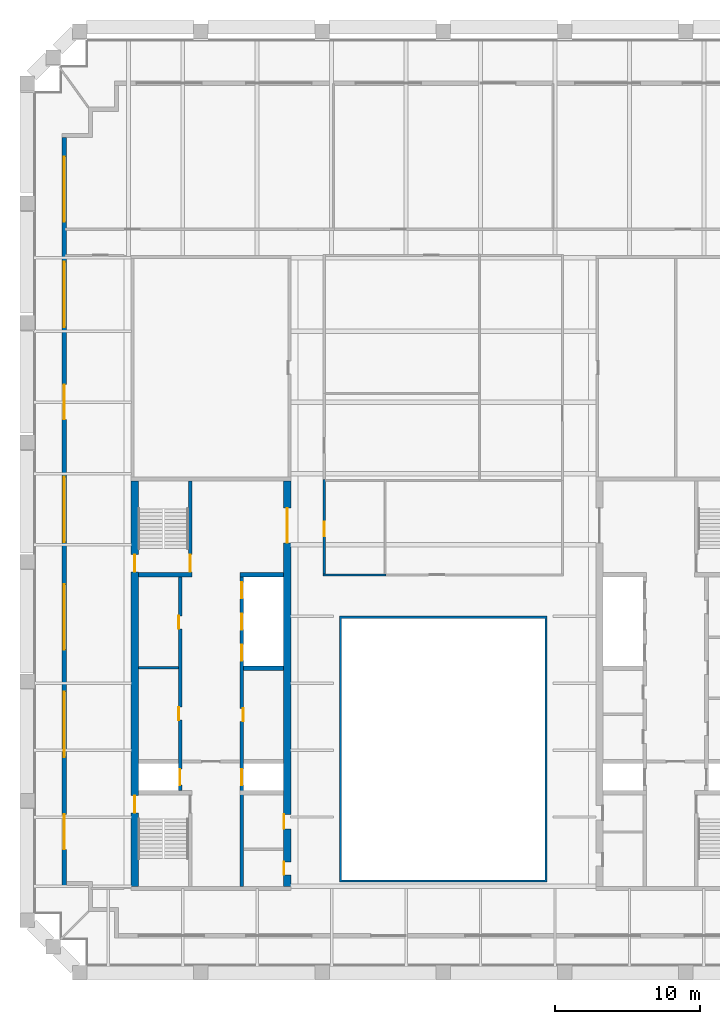
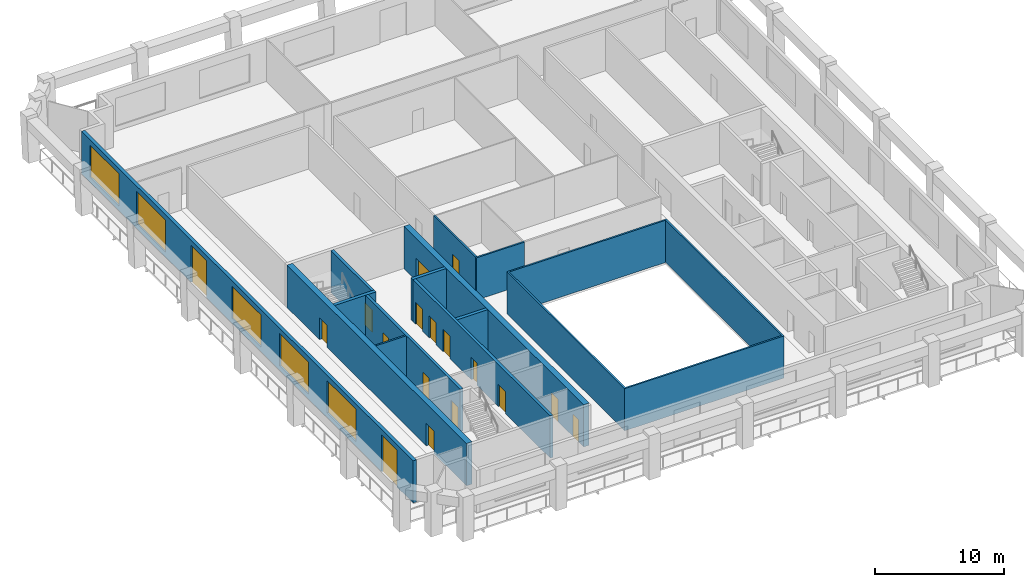
# One storey, part 3 of 7: 17 doors, 13 walls, 5 windows, 22 openings.
"""IFC4 building model written with IfcOpenShell, lengths in metres."""

from ifc_helpers import new_model, si_unit, direction, frame, frame_2d, origin, place, context, subcontext, project, spatial, polyline, rectangle, outline, extrude, material, layer, layer_set, type_object, element, fill, save


model = new_model("IFC4")

# Units and contexts
model_context = context("Model", 3, precision=1e-05, world=origin(), true_north=direction((0.0, 1.0)))
body_context = subcontext(model_context, "Body", "Model", "MODEL_VIEW")
ifc_project = project(units=[si_unit("LENGTHUNIT", "METRE"), si_unit("AREAUNIT", "SQUARE_METRE"), si_unit("VOLUMEUNIT", "CUBIC_METRE"), si_unit("PLANEANGLEUNIT", "RADIAN"), si_unit("MASSUNIT", "GRAM", prefix="KILO")], contexts=[model_context])

# Site, building, storey
site_placement = place(None, origin())
site = spatial("IfcSite", under=ifc_project, at=site_placement, CompositionType="ELEMENT")
building_placement = place(site_placement, origin())
building = spatial("IfcBuilding", under=site, at=building_placement, Name="Ogive Exchange Tower", CompositionType="ELEMENT")
storey_placement = place(building_placement, frame((0.0, 0.0, 313.199951171875)))
storey = spatial("IfcBuildingStorey", under=building, at=storey_placement, Name="L68", CompositionType="ELEMENT", Elevation=313.199951171875)

# Walls
ifc_material_1 = material(Name="Gypsum board partition")
ifc_layer_1 = layer(ifc_material_1, 0.14990234375)
ifc_layer_set_1 = layer_set([ifc_layer_1], Name="Core room partition 150 gypsum")
wall_type_1 = type_object("IfcWallType", Name="Core room partition 150 gypsum", PredefinedType="PARTITIONING", material=ifc_layer_set_1)
wall_1_placement = place(storey_placement, frame((-21.0, 12.60009765625, 0.0), z_axis=(0.0, 0.0, 1.0), x_axis=(1.0, 0.0, 0.0)))
element("IfcWall", 1, at=wall_1_placement, inside=storey, type_object=wall_type_1, Name="W row A bay partition 1-1", PredefinedType="PARTITIONING", context=body_context, shape_type="SweptSolid", body=[
    extrude(rectangle(XDim=2.75, YDim=0.14990234375, at=frame_2d((1.375, 0.0))), origin(), (0.0, 0.0, 1.0), 4.0),
])
ifc_material_2 = material(Name="Fire partition EI 60 150")
ifc_layer_2 = layer(ifc_material_2, 0.14990234375)
ifc_layer_set_2 = layer_set([ifc_layer_2], Name="Fire partition EI 60 150")
wall_type_2 = type_object("IfcWallType", Name="Fire partition EI 60 150", PredefinedType="PARTITIONING", material=ifc_layer_set_2)
wall_2_placement = place(storey_placement, frame((-8.27490234375, 19.0, 0.0), z_axis=(0.0, 0.0, 1.0), x_axis=(1.0, 0.0, 0.0)))
element("IfcWall", 2, at=wall_2_placement, inside=storey, type_object=wall_type_2, Name="L68-PWL-005", PredefinedType="PARTITIONING", context=body_context, shape_type="SweptSolid", body=[
    extrude(rectangle(XDim=4.324951171875, YDim=0.14990234375, at=frame_2d((2.16259765625, 0.0))), origin(), (0.0, 0.0, 1.0), 4.0),
])

# Wall, opening, door
wall_3_placement = place(storey_placement, frame((-8.199951171875, 25.550048828125, 0.0), z_axis=(0.0, 0.0, 1.0), x_axis=(0.0, -1.0, 0.0)))
wall_3 = element("IfcWall", 3, at=wall_3_placement, inside=storey, type_object=wall_type_2, Name="L68-PWL-006", PredefinedType="PARTITIONING", context=body_context, shape_type="SweptSolid", body=[
    extrude(rectangle(XDim=6.47509765625, YDim=0.14990234375, at=frame_2d((3.237548828125, 0.0))), origin(), (0.0, 0.0, 1.0), 4.0),
])
opening_1_placement = place(wall_3_placement, frame((2.89990234375, 0.0, 0.0)))
opening_1 = element("IfcOpeningElement", 4, at=opening_1_placement, cuts=wall_3, Name="Opening L68-I09", PredefinedType="OPENING", context=body_context, shape_type="SweptSolid", body=[
    extrude(rectangle(XDim=1.0, YDim=2.10009765625, at=frame_2d((0.5, 1.050048828125))), frame((0.0, 0.0849609375, 0.0), z_axis=(0.0, -1.0, 0.0), x_axis=(1.0, 0.0, 0.0)), (0.0, 0.0, 1.0), 0.169921875),
])
ifc_material_3 = material(Name="Fire door FD 30S 1000 x 2100")
door_type_1 = type_object("IfcDoorType", Name="Fire door FD 30S 1000 x 2100", OperationType="NOTDEFINED", PredefinedType="DOOR", material=ifc_material_3)
door_1_placement = place(opening_1_placement, origin())
door_1 = element("IfcDoor", 5, at=door_1_placement, inside=storey, type_object=door_type_1, Name="L68-IDR-009", ObjectType="DT3", OperationType="SINGLE_SWING_LEFT", OverallHeight=2.10009765625, OverallWidth=1.0, PredefinedType="DOOR", context=body_context, shape_type="SweptSolid", body=[
    extrude(rectangle(XDim=1.0, YDim=2.10009765625, at=frame_2d((0.5, 1.050048828125))), frame((0.0, 0.02490234375, 0.0), z_axis=(0.0, -1.0, 0.0), x_axis=(1.0, 0.0, 0.0)), (0.0, 0.0, 1.0), 0.050048828125),
])
fill(opening_1, door_1)

# Wall
ifc_material_4 = material(Name="Fire-resisting glass in steel frame", Category="steel")
ifc_layer_3 = layer(ifc_material_4, 0.14990234375)
ifc_layer_set_3 = layer_set([ifc_layer_3], Name="Fire-rated glazed wall 150")
wall_type_3 = type_object("IfcWallType", Name="Fire-rated glazed wall 150", PredefinedType="STANDARD", material=ifc_layer_set_3)
wall_4_placement = place(storey_placement, origin())
element("IfcWall", 6, at=wall_4_placement, inside=storey, type_object=wall_type_3, Name="Nave enclosure wall", PredefinedType="STANDARD", context=body_context, shape_type="SweptSolid", body=[
    extrude(outline(polyline([(-7.14990234375, -2.14990234375), (7.14990234375, -2.14990234375), (7.14990234375, 16.14990234375), (-7.14990234375, 16.14990234375), (-7.14990234375, -2.14990234375)]), holes=[polyline([(-7.0, -2.0), (-7.0, 16.0), (7.0, 16.0), (7.0, -2.0), (-7.0, -2.0)])]), origin(), (0.0, 0.0, 1.0), 4.0),
])

# Wall, openings, doors, windows
ifc_material_5 = material(Name="Precast concrete C40/50", Category="concrete")
ifc_layer_4 = layer(ifc_material_5, 0.300048828125)
ifc_layer_set_4 = layer_set([ifc_layer_4], Name="Limestone-faced wall 300")
wall_type_4 = type_object("IfcWallType", Name="Limestone-faced wall 300", PredefinedType="STANDARD", material=ifc_layer_set_4)
wall_5_placement = place(storey_placement, frame((-26.10009765625, 49.10009765625, 0.0), z_axis=(0.0, 0.0, 1.0), x_axis=(0.0, -1.0, 0.0)))
wall_5 = element("IfcWall", 7, at=wall_5_placement, inside=storey, type_object=wall_type_4, Name="External wall W4", PredefinedType="STANDARD", context=body_context, shape_type="SweptSolid", body=[
    extrude(rectangle(XDim=51.5, YDim=0.300048828125, at=frame_2d((25.75, 0.0))), origin(), (0.0, 0.0, 1.0), 4.0),
])
opening_2_placement = place(wall_5_placement, frame((1.300048828125, 0.0, 0.449951171875)))
opening_2 = element("IfcOpeningElement", 8, at=opening_2_placement, cuts=wall_5, Name="Opening W1", PredefinedType="OPENING", context=body_context, shape_type="SweptSolid", body=[
    extrude(rectangle(XDim=4.5, YDim=3.050048828125, at=frame_2d((2.25, 1.52490234375))), frame((0.0, 0.159912109375, 0.0), z_axis=(0.0, -1.0, 0.0), x_axis=(1.0, 0.0, 0.0)), (0.0, 0.0, 1.0), 0.320068359375),
])
opening_3_placement = place(wall_5_placement, frame((8.550048828125, 0.0, 0.449951171875)))
opening_3 = element("IfcOpeningElement", 9, at=opening_3_placement, cuts=wall_5, Name="Opening W1", PredefinedType="OPENING", context=body_context, shape_type="SweptSolid", body=[
    extrude(rectangle(XDim=4.5, YDim=3.050048828125, at=frame_2d((2.25, 1.52490234375))), frame((0.0, 0.159912109375, 0.0), z_axis=(0.0, -1.0, 0.0), x_axis=(1.0, 0.0, 0.0)), (0.0, 0.0, 1.0), 0.320068359375),
])
opening_4_placement = place(wall_5_placement, frame((17.0, 0.0, 0.0)))
opening_4 = element("IfcOpeningElement", 10, at=opening_4_placement, cuts=wall_5, Name="Opening D1", PredefinedType="OPENING", context=body_context, shape_type="SweptSolid", body=[
    extrude(rectangle(XDim=2.39990234375, YDim=3.5, at=frame_2d((1.199951171875, 1.75))), frame((0.0, 0.159912109375, 0.0), z_axis=(0.0, -1.0, 0.0), x_axis=(1.0, 0.0, 0.0)), (0.0, 0.0, 1.0), 0.320068359375),
])
opening_5_placement = place(wall_5_placement, frame((23.35009765625, 0.0, 0.449951171875)))
opening_5 = element("IfcOpeningElement", 11, at=opening_5_placement, cuts=wall_5, Name="Opening W1", PredefinedType="OPENING", context=body_context, shape_type="SweptSolid", body=[
    extrude(rectangle(XDim=4.5, YDim=3.050048828125, at=frame_2d((2.25, 1.52490234375))), frame((0.0, 0.159912109375, 0.0), z_axis=(0.0, -1.0, 0.0), x_axis=(1.0, 0.0, 0.0)), (0.0, 0.0, 1.0), 0.320068359375),
])
opening_6_placement = place(wall_5_placement, frame((30.75, 0.0, 0.449951171875)))
opening_6 = element("IfcOpeningElement", 12, at=opening_6_placement, cuts=wall_5, Name="Opening W1", PredefinedType="OPENING", context=body_context, shape_type="SweptSolid", body=[
    extrude(rectangle(XDim=4.5, YDim=3.050048828125, at=frame_2d((2.25, 1.52490234375))), frame((0.0, 0.159912109375, 0.0), z_axis=(0.0, -1.0, 0.0), x_axis=(1.0, 0.0, 0.0)), (0.0, 0.0, 1.0), 0.320068359375),
])
opening_7_placement = place(wall_5_placement, frame((38.14990234375, 0.0, 0.449951171875)))
opening_7 = element("IfcOpeningElement", 13, at=opening_7_placement, cuts=wall_5, Name="Opening W1", PredefinedType="OPENING", context=body_context, shape_type="SweptSolid", body=[
    extrude(rectangle(XDim=4.5, YDim=3.050048828125, at=frame_2d((2.25, 1.52490234375))), frame((0.0, 0.159912109375, 0.0), z_axis=(0.0, -1.0, 0.0), x_axis=(1.0, 0.0, 0.0)), (0.0, 0.0, 1.0), 0.320068359375),
])
opening_8_placement = place(wall_5_placement, frame((46.60009765625, 0.0, 0.0)))
opening_8 = element("IfcOpeningElement", 14, at=opening_8_placement, cuts=wall_5, Name="Opening D1", PredefinedType="OPENING", context=body_context, shape_type="SweptSolid", body=[
    extrude(rectangle(XDim=2.39990234375, YDim=3.5, at=frame_2d((1.199951171875, 1.75))), frame((0.0, 0.159912109375, 0.0), z_axis=(0.0, -1.0, 0.0), x_axis=(1.0, 0.0, 0.0)), (0.0, 0.0, 1.0), 0.320068359375),
])
ifc_material_6 = material(Name="Clear glass in bronze frame", Category="glass")
door_type_2 = type_object("IfcDoorType", Name="Sliding loggia door 2400 x 3500", OperationType="DOUBLE_DOOR_SLIDING", PredefinedType="DOOR", material=ifc_material_6)
door_2_placement = place(opening_4_placement, origin())
door_2 = element("IfcDoor", 15, at=door_2_placement, inside=storey, type_object=door_type_2, Name="Loggia door W02", OperationType="DOUBLE_DOOR_SLIDING", OverallHeight=3.5, OverallWidth=2.39990234375, PredefinedType="DOOR", context=body_context, shape_type="SweptSolid", body=[
    extrude(rectangle(XDim=2.39990234375, YDim=3.5, at=frame_2d((1.199951171875, 1.75))), frame((0.0, 0.02490234375, 0.0), z_axis=(0.0, -1.0, 0.0), x_axis=(1.0, 0.0, 0.0)), (0.0, 0.0, 1.0), 0.050048828125),
])
fill(opening_4, door_2)
door_3_placement = place(opening_8_placement, origin())
door_3 = element("IfcDoor", 16, at=door_3_placement, inside=storey, type_object=door_type_2, Name="Loggia door W06", OperationType="DOUBLE_DOOR_SLIDING", OverallHeight=3.5, OverallWidth=2.39990234375, PredefinedType="DOOR", context=body_context, shape_type="SweptSolid", body=[
    extrude(rectangle(XDim=2.39990234375, YDim=3.5, at=frame_2d((1.199951171875, 1.75))), frame((0.0, 0.02490234375, 0.0), z_axis=(0.0, -1.0, 0.0), x_axis=(1.0, 0.0, 0.0)), (0.0, 0.0, 1.0), 0.050048828125),
])
fill(opening_8, door_3)
window_type = type_object("IfcWindowType", Name="Twin lancet window 4500 x 3050", PartitioningType="DOUBLE_PANEL_VERTICAL", PredefinedType="WINDOW", material=ifc_material_6)
window_1_placement = place(opening_2_placement, origin())
window_1 = element("IfcWindow", 17, at=window_1_placement, inside=storey, type_object=window_type, Name="Window W00", OverallHeight=3.050048828125, OverallWidth=4.5, PartitioningType="DOUBLE_PANEL_VERTICAL", PredefinedType="WINDOW", context=body_context, shape_type="SweptSolid", body=[
    extrude(rectangle(XDim=4.5, YDim=3.050048828125, at=frame_2d((2.25, 1.52490234375))), frame((0.0, 0.030029296875, 0.0), z_axis=(0.0, -1.0, 0.0), x_axis=(1.0, 0.0, 0.0)), (0.0, 0.0, 1.0), 0.06005859375),
])
fill(opening_2, window_1)
window_2_placement = place(opening_3_placement, origin())
window_2 = element("IfcWindow", 18, at=window_2_placement, inside=storey, type_object=window_type, Name="Window W01", OverallHeight=3.050048828125, OverallWidth=4.5, PartitioningType="DOUBLE_PANEL_VERTICAL", PredefinedType="WINDOW", context=body_context, shape_type="SweptSolid", body=[
    extrude(rectangle(XDim=4.5, YDim=3.050048828125, at=frame_2d((2.25, 1.52490234375))), frame((0.0, 0.030029296875, 0.0), z_axis=(0.0, -1.0, 0.0), x_axis=(1.0, 0.0, 0.0)), (0.0, 0.0, 1.0), 0.06005859375),
])
fill(opening_3, window_2)
window_3_placement = place(opening_5_placement, origin())
window_3 = element("IfcWindow", 19, at=window_3_placement, inside=storey, type_object=window_type, Name="Window W03", OverallHeight=3.050048828125, OverallWidth=4.5, PartitioningType="DOUBLE_PANEL_VERTICAL", PredefinedType="WINDOW", context=body_context, shape_type="SweptSolid", body=[
    extrude(rectangle(XDim=4.5, YDim=3.050048828125, at=frame_2d((2.25, 1.52490234375))), frame((0.0, 0.030029296875, 0.0), z_axis=(0.0, -1.0, 0.0), x_axis=(1.0, 0.0, 0.0)), (0.0, 0.0, 1.0), 0.06005859375),
])
fill(opening_5, window_3)
window_4_placement = place(opening_6_placement, origin())
window_4 = element("IfcWindow", 20, at=window_4_placement, inside=storey, type_object=window_type, Name="Window W04", OverallHeight=3.050048828125, OverallWidth=4.5, PartitioningType="DOUBLE_PANEL_VERTICAL", PredefinedType="WINDOW", context=body_context, shape_type="SweptSolid", body=[
    extrude(rectangle(XDim=4.5, YDim=3.050048828125, at=frame_2d((2.25, 1.52490234375))), frame((0.0, 0.030029296875, 0.0), z_axis=(0.0, -1.0, 0.0), x_axis=(1.0, 0.0, 0.0)), (0.0, 0.0, 1.0), 0.06005859375),
])
fill(opening_6, window_4)
window_5_placement = place(opening_7_placement, origin())
window_5 = element("IfcWindow", 21, at=window_5_placement, inside=storey, type_object=window_type, Name="Window W05", OverallHeight=3.050048828125, OverallWidth=4.5, PartitioningType="DOUBLE_PANEL_VERTICAL", PredefinedType="WINDOW", context=body_context, shape_type="SweptSolid", body=[
    extrude(rectangle(XDim=4.5, YDim=3.050048828125, at=frame_2d((2.25, 1.52490234375))), frame((0.0, 0.030029296875, 0.0), z_axis=(0.0, -1.0, 0.0), x_axis=(1.0, 0.0, 0.0)), (0.0, 0.0, 1.0), 0.06005859375),
])
fill(opening_7, window_5)

# Wall, opening, door
ifc_material_7 = material(Name="Concrete C70/85", Category="concrete")
ifc_layer_5 = layer(ifc_material_7, 0.25)
ifc_layer_set_5 = layer_set([ifc_layer_5], Name="RC core wall 250 C70/85")
wall_type_5 = type_object("IfcWallType", Name="RC core wall 250 C70/85", PredefinedType="SHEAR", material=ifc_layer_set_5)
wall_6_placement = place(storey_placement, frame((-17.425048828125, 19.14990234375, 0.0), z_axis=(0.0, 0.0, 1.0), x_axis=(0.0, 1.0, 0.0)))
wall_6 = element("IfcWall", 22, at=wall_6_placement, inside=storey, type_object=wall_type_5, Name="W stair N front wall", PredefinedType="SHEAR", context=body_context, shape_type="SweptSolid", body=[
    extrude(rectangle(XDim=6.300048828125, YDim=0.25, at=frame_2d((3.14990234375, 0.0))), origin(), (0.0, 0.0, 1.0), 4.0),
])
opening_9_placement = place(wall_6_placement, frame((0.050048828125, 0.0, 0.0)))
opening_9 = element("IfcOpeningElement", 23, at=opening_9_placement, cuts=wall_6, Name="Opening L68-C13", PredefinedType="OPENING", context=body_context, shape_type="SweptSolid", body=[
    extrude(rectangle(XDim=1.199951171875, YDim=2.10009765625, at=frame_2d((0.60009765625, 1.050048828125))), frame((0.0, 0.135009765625, 0.0), z_axis=(0.0, -1.0, 0.0), x_axis=(1.0, 0.0, 0.0)), (0.0, 0.0, 1.0), 0.27001953125),
])
ifc_material_8 = material(Name="Steel fire door", Category="steel")
door_type_3 = type_object("IfcDoorType", Name="Stair door FD90 1200 x 2100", OperationType="NOTDEFINED", PredefinedType="DOOR", material=ifc_material_8)
door_4_placement = place(opening_9_placement, origin())
door_4 = element("IfcDoor", 24, at=door_4_placement, inside=storey, type_object=door_type_3, Name="Stair door", ObjectType="CD5", OperationType="SINGLE_SWING_RIGHT", OverallHeight=2.10009765625, OverallWidth=1.199951171875, PredefinedType="DOOR", context=body_context, shape_type="SweptSolid", body=[
    extrude(rectangle(XDim=1.199951171875, YDim=2.10009765625, at=frame_2d((0.60009765625, 1.050048828125))), frame((0.0, 0.02490234375, 0.0), z_axis=(0.0, -1.0, 0.0), x_axis=(1.0, 0.0, 0.0)), (0.0, 0.0, 1.0), 0.050048828125),
])
fill(opening_9, door_4)

# Wall, openings, doors
wall_7_placement = place(storey_placement, frame((-18.125, 4.14990234375, 0.0), z_axis=(0.0, 0.0, 1.0), x_axis=(0.0, 1.0, 0.0)))
wall_7 = element("IfcWall", 25, at=wall_7_placement, inside=storey, type_object=wall_type_5, Name="W row A front wall", PredefinedType="SHEAR", context=body_context, shape_type="SweptSolid", body=[
    extrude(rectangle(XDim=14.7001953125, YDim=0.25, at=frame_2d((7.35009765625, 0.0))), origin(), (0.0, 0.0, 1.0), 4.0),
])
opening_10_placement = place(wall_7_placement, frame((4.846435546875, 0.0, 0.0)))
opening_10 = element("IfcOpeningElement", 26, at=opening_10_placement, cuts=wall_7, Name="Opening L68-C01", PredefinedType="OPENING", context=body_context, shape_type="SweptSolid", body=[
    extrude(rectangle(XDim=0.89990234375, YDim=2.10009765625, at=frame_2d((0.449951171875, 1.050048828125))), frame((0.0, 0.135009765625, 0.0), z_axis=(0.0, -1.0, 0.0), x_axis=(1.0, 0.0, 0.0)), (0.0, 0.0, 1.0), 0.27001953125),
])
opening_11_placement = place(wall_7_placement, frame((11.125, 0.0, 0.0)))
opening_11 = element("IfcOpeningElement", 27, at=opening_11_placement, cuts=wall_7, Name="Opening L68-C02", PredefinedType="OPENING", context=body_context, shape_type="SweptSolid", body=[
    extrude(rectangle(XDim=0.89990234375, YDim=2.10009765625, at=frame_2d((0.449951171875, 1.050048828125))), frame((0.0, 0.135009765625, 0.0), z_axis=(0.0, -1.0, 0.0), x_axis=(1.0, 0.0, 0.0)), (0.0, 0.0, 1.0), 0.27001953125),
])
opening_12_placement = place(wall_7_placement, frame((0.371337890625, 0.0, 0.0)))
opening_12 = element("IfcOpeningElement", 28, at=opening_12_placement, cuts=wall_7, Name="Opening L68-C03", PredefinedType="OPENING", context=body_context, shape_type="SweptSolid", body=[
    extrude(rectangle(XDim=1.10009765625, YDim=2.10009765625, at=frame_2d((0.550048828125, 1.050048828125))), frame((0.0, 0.135009765625, 0.0), z_axis=(0.0, -1.0, 0.0), x_axis=(1.0, 0.0, 0.0)), (0.0, 0.0, 1.0), 0.27001953125),
])
ifc_material_9 = material(Name="Timber fire door", Category="wood")
door_type_4 = type_object("IfcDoorType", Name="Core room door FD30S 900 x 2100", OperationType="NOTDEFINED", PredefinedType="DOOR", material=ifc_material_9)
door_5_placement = place(opening_11_placement, origin())
door_5 = element("IfcDoor", 29, at=door_5_placement, inside=storey, type_object=door_type_4, Name="Core room door", ObjectType="CD6", OperationType="SINGLE_SWING_LEFT", OverallHeight=2.10009765625, OverallWidth=0.89990234375, PredefinedType="DOOR", context=body_context, shape_type="SweptSolid", body=[
    extrude(rectangle(XDim=0.89990234375, YDim=2.10009765625, at=frame_2d((0.449951171875, 1.050048828125))), frame((0.0, 0.125, 0.0), z_axis=(0.0, -1.0, 0.0), x_axis=(1.0, 0.0, 0.0)), (0.0, 0.0, 1.0), 0.050048828125),
])
fill(opening_11, door_5)
ifc_material_10 = material(Name="Stainless steel", Category="steel")
door_type_5 = type_object("IfcDoorType", Name="Lift landing door FD90 1100 x 2100", OperationType="SLIDING_TO_LEFT", PredefinedType="DOOR", material=ifc_material_10)
door_6_placement = place(opening_12_placement, origin())
door_6 = element("IfcDoor", 30, at=door_6_placement, inside=storey, type_object=door_type_5, Name="Lift landing door FF1", ObjectType="LD", OperationType="SLIDING_TO_LEFT", OverallHeight=2.10009765625, OverallWidth=1.10009765625, PredefinedType="DOOR", context=body_context, shape_type="SweptSolid", body=[
    extrude(rectangle(XDim=1.10009765625, YDim=2.10009765625, at=frame_2d((0.550048828125, 1.050048828125))), frame((0.0, 0.02490234375, 0.0), z_axis=(0.0, -1.0, 0.0), x_axis=(1.0, 0.0, 0.0)), (0.0, 0.0, 1.0), 0.050048828125),
])
fill(opening_12, door_6)
door_type_6 = type_object("IfcDoorType", Name="Riser door FD60 900 x 2100", OperationType="NOTDEFINED", PredefinedType="DOOR", material=ifc_material_8)
door_7_placement = place(opening_10_placement, origin())
door_7 = element("IfcDoor", 31, at=door_7_placement, inside=storey, type_object=door_type_6, Name="Riser door", ObjectType="CD2", OperationType="SINGLE_SWING_LEFT", OverallHeight=2.10009765625, OverallWidth=0.89990234375, PredefinedType="DOOR", context=body_context, shape_type="SweptSolid", body=[
    extrude(rectangle(XDim=0.89990234375, YDim=2.10009765625, at=frame_2d((0.449951171875, 1.050048828125))), frame((0.0, 0.125, 0.0), z_axis=(0.0, -1.0, 0.0), x_axis=(1.0, 0.0, 0.0)), (0.0, 0.0, 1.0), 0.050048828125),
])
fill(opening_10, door_7)

wall_8_placement = place(storey_placement, frame((-13.875, -2.449951171875, 0.0), z_axis=(0.0, 0.0, 1.0), x_axis=(0.0, 1.0, 0.0)))
wall_8 = element("IfcWall", 32, at=wall_8_placement, inside=storey, type_object=wall_type_5, Name="W row B front wall", PredefinedType="SHEAR", context=body_context, shape_type="SweptSolid", body=[
    extrude(rectangle(XDim=21.300048828125, YDim=0.25, at=frame_2d((10.64990234375, 0.0))), origin(), (0.0, 0.0, 1.0), 4.0),
])
opening_13_placement = place(wall_8_placement, frame((11.357177734375, 0.0, 0.0)))
opening_13 = element("IfcOpeningElement", 33, at=opening_13_placement, cuts=wall_8, Name="Opening L68-C04", PredefinedType="OPENING", context=body_context, shape_type="SweptSolid", body=[
    extrude(rectangle(XDim=0.89990234375, YDim=2.10009765625, at=frame_2d((0.449951171875, 1.050048828125))), frame((0.0, 0.135009765625, 0.0), z_axis=(0.0, -1.0, 0.0), x_axis=(1.0, 0.0, 0.0)), (0.0, 0.0, 1.0), 0.27001953125),
])
opening_14_placement = place(wall_8_placement, frame((6.971435546875, 0.0, 0.0)))
opening_14 = element("IfcOpeningElement", 34, at=opening_14_placement, cuts=wall_8, Name="Opening L68-C05", PredefinedType="OPENING", context=body_context, shape_type="SweptSolid", body=[
    extrude(rectangle(XDim=1.10009765625, YDim=2.10009765625, at=frame_2d((0.550048828125, 1.050048828125))), frame((0.0, 0.135009765625, 0.0), z_axis=(0.0, -1.0, 0.0), x_axis=(1.0, 0.0, 0.0)), (0.0, 0.0, 1.0), 0.27001953125),
])
opening_15_placement = place(wall_8_placement, frame((15.54296875, 0.0, 0.0)))
opening_15 = element("IfcOpeningElement", 35, at=opening_15_placement, cuts=wall_8, Name="Opening L68-C06", PredefinedType="OPENING", context=body_context, shape_type="SweptSolid", body=[
    extrude(rectangle(XDim=1.10009765625, YDim=2.10009765625, at=frame_2d((0.550048828125, 1.050048828125))), frame((0.0, 0.135009765625, 0.0), z_axis=(0.0, -1.0, 0.0), x_axis=(1.0, 0.0, 0.0)), (0.0, 0.0, 1.0), 0.27001953125),
])
opening_16_placement = place(wall_8_placement, frame((17.685791015625, 0.0, 0.0)))
opening_16 = element("IfcOpeningElement", 36, at=opening_16_placement, cuts=wall_8, Name="Opening L68-C07", PredefinedType="OPENING", context=body_context, shape_type="SweptSolid", body=[
    extrude(rectangle(XDim=1.10009765625, YDim=2.10009765625, at=frame_2d((0.550048828125, 1.050048828125))), frame((0.0, 0.135009765625, 0.0), z_axis=(0.0, -1.0, 0.0), x_axis=(1.0, 0.0, 0.0)), (0.0, 0.0, 1.0), 0.27001953125),
])
opening_17_placement = place(wall_8_placement, frame((19.82861328125, 0.0, 0.0)))
opening_17 = element("IfcOpeningElement", 37, at=opening_17_placement, cuts=wall_8, Name="Opening L68-C08", PredefinedType="OPENING", context=body_context, shape_type="SweptSolid", body=[
    extrude(rectangle(XDim=1.10009765625, YDim=2.10009765625, at=frame_2d((0.550048828125, 1.050048828125))), frame((0.0, 0.135009765625, 0.0), z_axis=(0.0, -1.0, 0.0), x_axis=(1.0, 0.0, 0.0)), (0.0, 0.0, 1.0), 0.27001953125),
])
door_8_placement = place(opening_14_placement, origin())
door_8 = element("IfcDoor", 38, at=door_8_placement, inside=storey, type_object=door_type_5, Name="Lift landing door SV1", ObjectType="LD", OperationType="SLIDING_TO_LEFT", OverallHeight=2.10009765625, OverallWidth=1.10009765625, PredefinedType="DOOR", context=body_context, shape_type="SweptSolid", body=[
    extrude(rectangle(XDim=1.10009765625, YDim=2.10009765625, at=frame_2d((0.550048828125, 1.050048828125))), frame((0.0, 0.02490234375, 0.0), z_axis=(0.0, -1.0, 0.0), x_axis=(1.0, 0.0, 0.0)), (0.0, 0.0, 1.0), 0.050048828125),
])
fill(opening_14, door_8)
door_9_placement = place(opening_15_placement, origin())
door_9 = element("IfcDoor", 39, at=door_9_placement, inside=storey, type_object=door_type_5, Name="Lift landing door W-H1", ObjectType="LD", OperationType="SLIDING_TO_LEFT", OverallHeight=2.10009765625, OverallWidth=1.10009765625, PredefinedType="DOOR", context=body_context, shape_type="SweptSolid", body=[
    extrude(rectangle(XDim=1.10009765625, YDim=2.10009765625, at=frame_2d((0.550048828125, 1.050048828125))), frame((0.0, 0.02490234375, 0.0), z_axis=(0.0, -1.0, 0.0), x_axis=(1.0, 0.0, 0.0)), (0.0, 0.0, 1.0), 0.050048828125),
])
fill(opening_15, door_9)
door_10_placement = place(opening_16_placement, origin())
door_10 = element("IfcDoor", 40, at=door_10_placement, inside=storey, type_object=door_type_5, Name="Lift landing door W-H2", ObjectType="LD", OperationType="SLIDING_TO_LEFT", OverallHeight=2.10009765625, OverallWidth=1.10009765625, PredefinedType="DOOR", context=body_context, shape_type="SweptSolid", body=[
    extrude(rectangle(XDim=1.10009765625, YDim=2.10009765625, at=frame_2d((0.550048828125, 1.050048828125))), frame((0.0, 0.02490234375, 0.0), z_axis=(0.0, -1.0, 0.0), x_axis=(1.0, 0.0, 0.0)), (0.0, 0.0, 1.0), 0.050048828125),
])
fill(opening_16, door_10)
door_11_placement = place(opening_17_placement, origin())
door_11 = element("IfcDoor", 41, at=door_11_placement, inside=storey, type_object=door_type_5, Name="Lift landing door W-H3", ObjectType="LD", OperationType="SLIDING_TO_LEFT", OverallHeight=2.10009765625, OverallWidth=1.10009765625, PredefinedType="DOOR", context=body_context, shape_type="SweptSolid", body=[
    extrude(rectangle(XDim=1.10009765625, YDim=2.10009765625, at=frame_2d((0.550048828125, 1.050048828125))), frame((0.0, 0.02490234375, 0.0), z_axis=(0.0, -1.0, 0.0), x_axis=(1.0, 0.0, 0.0)), (0.0, 0.0, 1.0), 0.050048828125),
])
fill(opening_17, door_11)
door_12_placement = place(opening_13_placement, frame((0.89990234375, -0.2001953125, 0.0), z_axis=(0.0, 0.0, 1.0), x_axis=(-1.0, 0.0, 0.0)))
door_12 = element("IfcDoor", 42, at=door_12_placement, inside=storey, type_object=door_type_6, Name="Riser door", ObjectType="CD2", OperationType="SINGLE_SWING_LEFT", OverallHeight=2.10009765625, OverallWidth=0.89990234375, PredefinedType="DOOR", context=body_context, shape_type="SweptSolid", body=[
    extrude(rectangle(XDim=0.89990234375, YDim=2.10009765625, at=frame_2d((0.449951171875, 1.050048828125))), frame((0.0, -0.0751953125, 0.0), z_axis=(0.0, -1.0, 0.0), x_axis=(1.0, 0.0, 0.0)), (0.0, 0.0, 1.0), 0.050048828125),
])
fill(opening_13, door_12)

# Walls
ifc_layer_6 = layer(ifc_material_7, 0.300048828125)
ifc_layer_set_6 = layer_set([ifc_layer_6], Name="RC core wall 300 C70/85")
wall_type_6 = type_object("IfcWallType", Name="RC core wall 300 C70/85", PredefinedType="SHEAR", material=ifc_layer_set_6)
wall_9_placement = place(storey_placement, frame((-21.0, 19.0, 0.0), z_axis=(0.0, 0.0, 1.0), x_axis=(1.0, 0.0, 0.0)))
element("IfcWall", 43, at=wall_9_placement, inside=storey, type_object=wall_type_6, Name="W stair N south wall", PredefinedType="SHEAR", context=body_context, shape_type="SweptSolid", body=[
    extrude(rectangle(XDim=3.699951171875, YDim=0.300048828125, at=frame_2d((1.85009765625, 0.0))), origin(), (0.0, 0.0, 1.0), 4.0),
])
wall_10_placement = place(storey_placement, frame((-13.75, 12.5712890625, 0.0), z_axis=(0.0, 0.0, 1.0), x_axis=(1.0, 0.0, 0.0)))
element("IfcWall", 44, at=wall_10_placement, inside=storey, type_object=wall_type_6, Name="W row B divider 4", PredefinedType="SHEAR", context=body_context, shape_type="SweptSolid", body=[
    extrude(rectangle(XDim=2.75, YDim=0.300048828125, at=frame_2d((1.375, 0.0))), origin(), (0.0, 0.0, 1.0), 4.0),
])
wall_11_placement = place(storey_placement, frame((-14.0, 19.0, 0.0), z_axis=(0.0, 0.0, 1.0), x_axis=(1.0, 0.0, 0.0)))
element("IfcWall", 45, at=wall_11_placement, inside=storey, type_object=wall_type_6, Name="W row B divider 7", PredefinedType="SHEAR", context=body_context, shape_type="SweptSolid", body=[
    extrude(rectangle(XDim=3.0, YDim=0.300048828125, at=frame_2d((1.5, 0.0))), origin(), (0.0, 0.0, 1.0), 4.0),
])

# Wall, openings, doors
ifc_layer_7 = layer(ifc_material_7, 0.5)
ifc_layer_set_7 = layer_set([ifc_layer_7], Name="RC core wall 500 C70/85")
wall_type_7 = type_object("IfcWallType", Name="RC core wall 500 C70/85", PredefinedType="SHEAR", material=ifc_layer_set_7)
wall_12_placement = place(storey_placement, frame((-21.25, -2.449951171875, 0.0), z_axis=(0.0, 0.0, 1.0), x_axis=(0.0, 1.0, 0.0)))
wall_12 = element("IfcWall", 46, at=wall_12_placement, inside=storey, type_object=wall_type_7, Name="W outer wall", PredefinedType="SHEAR", context=body_context, shape_type="SweptSolid", body=[
    extrude(rectangle(XDim=27.89990234375, YDim=0.5, at=frame_2d((13.949951171875, 0.0))), origin(), (0.0, 0.0, 1.0), 4.0),
])
opening_18_placement = place(wall_12_placement, frame((5.050048828125, 0.0, 0.0)))
opening_18 = element("IfcOpeningElement", 47, at=opening_18_placement, cuts=wall_12, Name="Opening L68-C12", PredefinedType="OPENING", context=body_context, shape_type="SweptSolid", body=[
    extrude(rectangle(XDim=1.199951171875, YDim=2.10009765625, at=frame_2d((0.60009765625, 1.050048828125))), frame((0.0, 0.260009765625, 0.0), z_axis=(0.0, -1.0, 0.0), x_axis=(1.0, 0.0, 0.0)), (0.0, 0.0, 1.0), 0.52001953125),
])
opening_19_placement = place(wall_12_placement, frame((21.64990234375, 0.0, 0.0)))
opening_19 = element("IfcOpeningElement", 48, at=opening_19_placement, cuts=wall_12, Name="Opening L68-C14", PredefinedType="OPENING", context=body_context, shape_type="SweptSolid", body=[
    extrude(rectangle(XDim=1.199951171875, YDim=2.10009765625, at=frame_2d((0.60009765625, 1.050048828125))), frame((0.0, 0.260009765625, 0.0), z_axis=(0.0, -1.0, 0.0), x_axis=(1.0, 0.0, 0.0)), (0.0, 0.0, 1.0), 0.52001953125),
])
door_13_placement = place(opening_18_placement, origin())
door_13 = element("IfcDoor", 49, at=door_13_placement, inside=storey, type_object=door_type_3, Name="Stair door", ObjectType="CD5", OperationType="SINGLE_SWING_RIGHT", OverallHeight=2.10009765625, OverallWidth=1.199951171875, PredefinedType="DOOR", context=body_context, shape_type="SweptSolid", body=[
    extrude(rectangle(XDim=1.199951171875, YDim=2.10009765625, at=frame_2d((0.60009765625, 1.050048828125))), frame((0.0, 0.02490234375, 0.0), z_axis=(0.0, -1.0, 0.0), x_axis=(1.0, 0.0, 0.0)), (0.0, 0.0, 1.0), 0.050048828125),
])
fill(opening_18, door_13)
door_14_placement = place(opening_19_placement, origin())
door_14 = element("IfcDoor", 50, at=door_14_placement, inside=storey, type_object=door_type_3, Name="Stair door", ObjectType="CD5", OperationType="SINGLE_SWING_LEFT", OverallHeight=2.10009765625, OverallWidth=1.199951171875, PredefinedType="DOOR", context=body_context, shape_type="SweptSolid", body=[
    extrude(rectangle(XDim=1.199951171875, YDim=2.10009765625, at=frame_2d((0.60009765625, 1.050048828125))), frame((0.0, 0.02490234375, 0.0), z_axis=(0.0, -1.0, 0.0), x_axis=(1.0, 0.0, 0.0)), (0.0, 0.0, 1.0), 0.050048828125),
])
fill(opening_19, door_14)

wall_13_placement = place(storey_placement, frame((-10.75, -2.449951171875, 0.0), z_axis=(0.0, 0.0, 1.0), x_axis=(0.0, 1.0, 0.0)))
wall_13 = element("IfcWall", 51, at=wall_13_placement, inside=storey, type_object=wall_type_7, Name="W inner wall", PredefinedType="SHEAR", context=body_context, shape_type="SweptSolid", body=[
    extrude(rectangle(XDim=27.89990234375, YDim=0.5, at=frame_2d((13.949951171875, 0.0))), origin(), (0.0, 0.0, 1.0), 4.0),
])
opening_20_placement = place(wall_13_placement, frame((23.64990234375, 0.0, 0.0)))
opening_20 = element("IfcOpeningElement", 52, at=opening_20_placement, cuts=wall_13, Name="Opening L68-C10", PredefinedType="OPENING", context=body_context, shape_type="SweptSolid", body=[
    extrude(rectangle(XDim=2.39990234375, YDim=2.10009765625, at=frame_2d((1.199951171875, 1.050048828125))), frame((0.0, 0.260009765625, 0.0), z_axis=(0.0, -1.0, 0.0), x_axis=(1.0, 0.0, 0.0)), (0.0, 0.0, 1.0), 0.52001953125),
])
opening_21_placement = place(wall_13_placement, frame((0.78759765625, 0.0, 0.0)))
opening_21 = element("IfcOpeningElement", 53, at=opening_21_placement, cuts=wall_13, Name="Opening L68-C15", PredefinedType="OPENING", context=body_context, shape_type="SweptSolid", body=[
    extrude(rectangle(XDim=0.89990234375, YDim=2.10009765625, at=frame_2d((0.449951171875, 1.050048828125))), frame((0.0, 0.260009765625, 0.0), z_axis=(0.0, -1.0, 0.0), x_axis=(1.0, 0.0, 0.0)), (0.0, 0.0, 1.0), 0.52001953125),
])
opening_22_placement = place(wall_13_placement, frame((3.96240234375, 0.0, 0.0)))
opening_22 = element("IfcOpeningElement", 54, at=opening_22_placement, cuts=wall_13, Name="Opening L68-C16", PredefinedType="OPENING", context=body_context, shape_type="SweptSolid", body=[
    extrude(rectangle(XDim=1.0, YDim=2.10009765625, at=frame_2d((0.5, 1.050048828125))), frame((0.0, 0.260009765625, 0.0), z_axis=(0.0, -1.0, 0.0), x_axis=(1.0, 0.0, 0.0)), (0.0, 0.0, 1.0), 0.52001953125),
])
door_type_7 = type_object("IfcDoorType", Name="Accessible WC door FD30S 1000 x 2100", OperationType="NOTDEFINED", PredefinedType="DOOR", material=ifc_material_9)
door_15_placement = place(opening_22_placement, frame((1.0, 0.4501953125, 0.0), z_axis=(0.0, 0.0, 1.0), x_axis=(-1.0, 0.0, 0.0)))
door_15 = element("IfcDoor", 55, at=door_15_placement, inside=storey, type_object=door_type_7, Name="Accessible WC door", ObjectType="CD7", OperationType="SINGLE_SWING_RIGHT", OverallHeight=2.10009765625, OverallWidth=1.0, PredefinedType="DOOR", context=body_context, shape_type="SweptSolid", body=[
    extrude(rectangle(XDim=1.0, YDim=2.10009765625, at=frame_2d((0.5, 1.050048828125))), frame((0.0, 0.25, 0.0), z_axis=(0.0, -1.0, 0.0), x_axis=(1.0, 0.0, 0.0)), (0.0, 0.0, 1.0), 0.050048828125),
])
fill(opening_22, door_15)
door_16_placement = place(opening_21_placement, frame((0.89990234375, 0.4501953125, 0.0), z_axis=(0.0, 0.0, 1.0), x_axis=(-1.0, 0.0, 0.0)))
door_16 = element("IfcDoor", 56, at=door_16_placement, inside=storey, type_object=door_type_4, Name="Core room door", ObjectType="CD6", OperationType="SINGLE_SWING_RIGHT", OverallHeight=2.10009765625, OverallWidth=0.89990234375, PredefinedType="DOOR", context=body_context, shape_type="SweptSolid", body=[
    extrude(rectangle(XDim=0.89990234375, YDim=2.10009765625, at=frame_2d((0.449951171875, 1.050048828125))), frame((0.0, 0.25, 0.0), z_axis=(0.0, -1.0, 0.0), x_axis=(1.0, 0.0, 0.0)), (0.0, 0.0, 1.0), 0.050048828125),
])
fill(opening_21, door_16)
ifc_material_11 = material(Name="Glazed steel fire door", Category="steel")
door_type_8 = type_object("IfcDoorType", Name="Lift lobby double door FD60 2400 x 2100", OperationType="DOUBLE_DOOR_SINGLE_SWING", PredefinedType="DOOR", material=ifc_material_11)
door_17_placement = place(opening_20_placement, frame((2.39990234375, 0.0, 0.0), z_axis=(0.0, 0.0, 1.0), x_axis=(-1.0, 0.0, 0.0)))
door_17 = element("IfcDoor", 57, at=door_17_placement, inside=storey, type_object=door_type_8, Name="Lift lobby double door", ObjectType="CD4", OperationType="DOUBLE_DOOR_SINGLE_SWING", OverallHeight=2.10009765625, OverallWidth=2.39990234375, PredefinedType="DOOR", context=body_context, shape_type="SweptSolid", body=[
    extrude(rectangle(XDim=2.39990234375, YDim=2.10009765625, at=frame_2d((1.199951171875, 1.050048828125))), frame((0.0, 0.02490234375, 0.0), z_axis=(0.0, -1.0, 0.0), x_axis=(1.0, 0.0, 0.0)), (0.0, 0.0, 1.0), 0.050048828125),
])
fill(opening_20, door_17)

save(model, "model.ifc")
